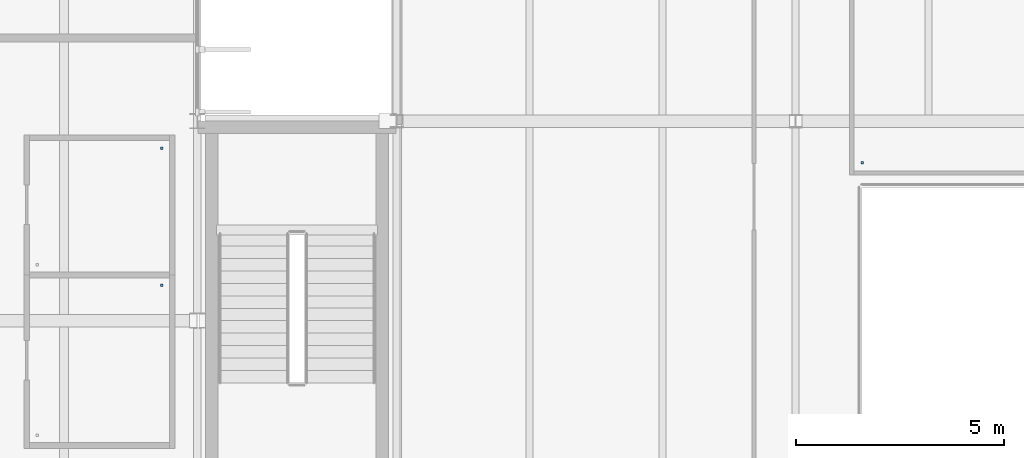
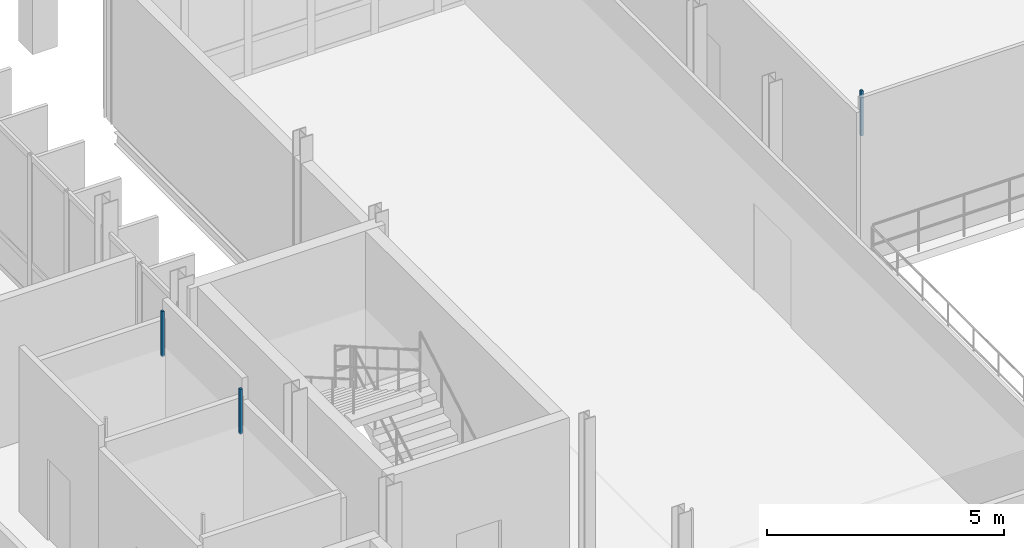
# One storey, part 74 of 110: 3 discrete accessories.
"""IFC4 building model written with IfcOpenShell, lengths in metres."""

from ifc_helpers import new_model, si_unit, direction, frame, origin, place, context, subcontext, project, spatial, polyline, outline, extrude, material, type_object, element, save


model = new_model("IFC4")

# Units and contexts
model_context = context("Model", 3, precision=1e-05, world=origin(), true_north=direction((0.0, 1.0)))
body_context = subcontext(model_context, "Body", "Model", "MODEL_VIEW")
ifc_project = project(units=[si_unit("LENGTHUNIT", "METRE"), si_unit("AREAUNIT", "SQUARE_METRE"), si_unit("VOLUMEUNIT", "CUBIC_METRE"), si_unit("PLANEANGLEUNIT", "RADIAN"), si_unit("MASSUNIT", "GRAM", prefix="KILO")], contexts=[model_context])

# Site, building, storey
site_placement = place(None, origin())
site = spatial("IfcSite", under=ifc_project, at=site_placement, CompositionType="ELEMENT")
building_placement = place(site_placement, origin())
building = spatial("IfcBuilding", under=site, at=building_placement, Name="Dunescarp Central Library", CompositionType="ELEMENT")
storey_placement = place(building_placement, frame((0.0, 0.0, 9.60009765625)))
storey = spatial("IfcBuildingStorey", under=building, at=storey_placement, Name="L02", CompositionType="ELEMENT", Elevation=9.60009765625)

# Discrete accessories
ifc_material = material(Name="Stainless steel Grade 316L", Category="steel")
discrete_accessory_type = type_object("IfcDiscreteAccessoryType", Name="ARC-ACC-BRK", PredefinedType="BRACKET", material=ifc_material)
discrete_accessory_1_placement = place(storey_placement, frame((0.0, 0.0, 3.059814453125)))
element("IfcDiscreteAccessory", 1, at=discrete_accessory_1_placement, inside=storey, type_object=discrete_accessory_type, Name="L02 ceiling hanger CLG-L02-015-H2", PredefinedType="BRACKET", context=body_context, shape_type="SweptSolid", body=[
    extrude(outline(polyline([(32.719970703125, 21.6201171875), (32.780029296875, 21.6201171875), (32.780029296875, 21.679931640625), (32.719970703125, 21.679931640625), (32.719970703125, 21.6201171875)])), origin(), (0.0, 0.0, 1.0), 1.16015625),
])
discrete_accessory_2_placement = place(storey_placement, frame((0.0, 0.0, 3.059814453125)))
element("IfcDiscreteAccessory", 2, at=discrete_accessory_2_placement, inside=storey, type_object=discrete_accessory_type, Name="L02 ceiling hanger CLG-L02-016-H2", PredefinedType="BRACKET", context=body_context, shape_type="SweptSolid", body=[
    extrude(outline(polyline([(32.719970703125, 24.919921875), (32.780029296875, 24.919921875), (32.780029296875, 24.97998046875), (32.719970703125, 24.97998046875), (32.719970703125, 24.919921875)])), origin(), (0.0, 0.0, 1.0), 1.16015625),
])
discrete_accessory_3_placement = place(storey_placement, frame((0.0, 0.0, 3.059814453125)))
element("IfcDiscreteAccessory", 3, at=discrete_accessory_3_placement, inside=storey, type_object=discrete_accessory_type, Name="L02 ceiling hanger CLG-L02-065-H1", PredefinedType="BRACKET", context=body_context, shape_type="SweptSolid", body=[
    extrude(outline(polyline([(49.570068359375, 24.570068359375), (49.6298828125, 24.570068359375), (49.6298828125, 24.6298828125), (49.570068359375, 24.6298828125), (49.570068359375, 24.570068359375)])), origin(), (0.0, 0.0, 1.0), 1.16015625),
])

save(model, "model.ifc")
